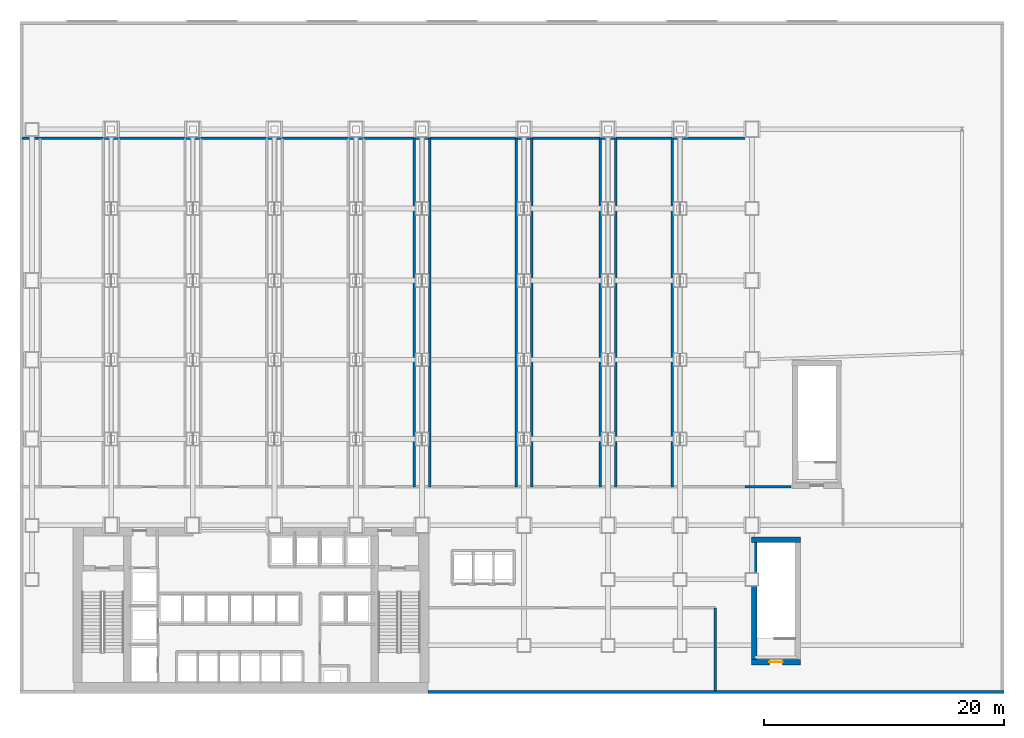
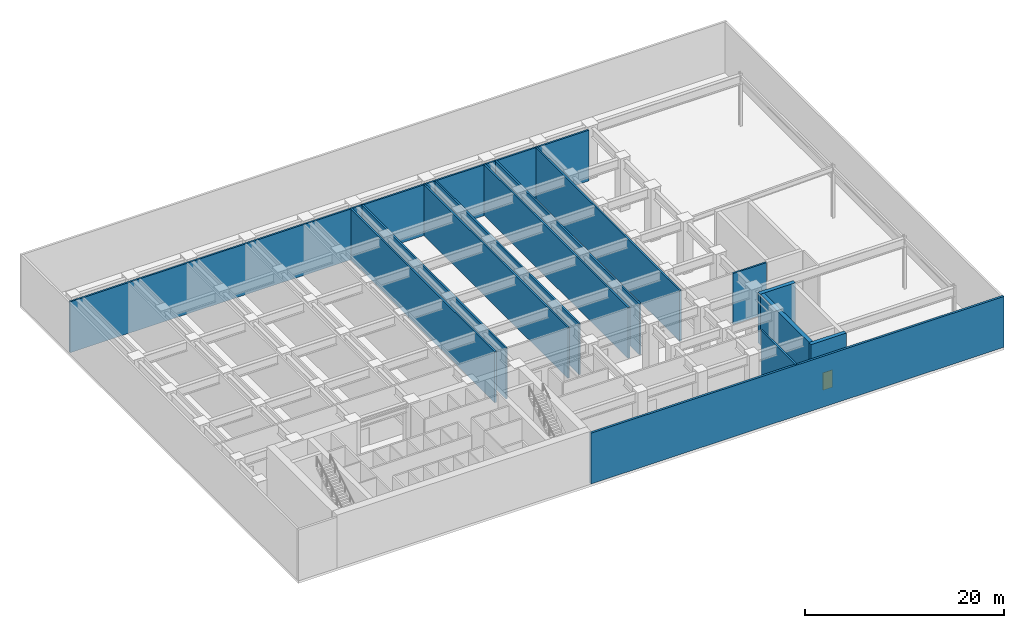
# One storey, part 11 of 15: 14 walls, 1 door, 1 opening.
"""IFC4 building model written with IfcOpenShell, lengths in metres."""

from ifc_helpers import new_model, si_unit, derived_unit, direction, frame, frame_2d, origin, place, context, subcontext, project, spatial, rectangle, extrude, source, transform, mapped, material, layer, layer_set, type_object, element, fill, save


model = new_model("IFC4")

# Units and contexts
model_context = context("Model", 3, precision=1e-05, world=origin(), true_north=direction((0.0, 1.0)))
body_context = subcontext(model_context, "Body", "Model", "MODEL_VIEW")
ifc_project = project(units=[si_unit("LENGTHUNIT", "METRE"), si_unit("AREAUNIT", "SQUARE_METRE"), si_unit("VOLUMEUNIT", "CUBIC_METRE"), si_unit("PLANEANGLEUNIT", "RADIAN"), si_unit("MASSUNIT", "GRAM", prefix="KILO"), derived_unit("THERMALTRANSMITTANCEUNIT", [(si_unit("POWERUNIT", "WATT"), 1), (si_unit("LENGTHUNIT", "METRE"), -2), (si_unit("THERMODYNAMICTEMPERATUREUNIT", "KELVIN"), -1)])], contexts=[model_context])

# Site, building, storey
site_placement = place(None, origin())
site = spatial("IfcSite", under=ifc_project, at=site_placement, CompositionType="ELEMENT")
building_placement = place(site_placement, origin())
building = spatial("IfcBuilding", under=site, at=building_placement, Name="Skarnbrae Concourse Arena and Tower", CompositionType="ELEMENT")
storey_placement = place(building_placement, frame((0.0, 0.0, 26.0)))
storey = spatial("IfcBuildingStorey", under=building, at=storey_placement, Name="L05", CompositionType="ELEMENT", Elevation=26.0)

# Wall
ifc_material_1 = material(Name="Precast concrete 40 MPa (C40/50)", Category="concrete")
ifc_layer_1 = layer(ifc_material_1, 0.25)
ifc_layer_set_1 = layer_set([ifc_layer_1], Name="Precast concrete 40 MPa (C40/50)")
wall_type_1 = type_object("IfcWallType", Name="WALL-EXT-SPANDREL-250", PredefinedType="STANDARD", material=ifc_layer_set_1)
shared_shape_1 = source(origin(), body_context, "Body", "SweptSolid", [
    extrude(rectangle(XDim=48.0, YDim=0.25, at=frame_2d((24.0, 0.0))), origin(), (0.0, 0.0, 1.0), 6.25),
])
wall_1_placement = place(storey_placement, frame((34.0, 0.125, 0.0), z_axis=(0.0, 0.0, 1.0), x_axis=(1.0, 0.0, 0.0)))
element("IfcWall", 1, at=wall_1_placement, inside=storey, type_object=wall_type_1, Name="L05 Podium exterior precast wall SE", PredefinedType="STANDARD", context=body_context, shape_type="MappedRepresentation", body=[
    mapped(shared_shape_1, transform((0.0, 0.0, 0.0))),
])

# Wall, opening, door
ifc_material_2 = material(Name="Concrete 50 MPa (C50/60)", Category="concrete")
ifc_layer_2 = layer(ifc_material_2, 0.449951171875)
ifc_layer_set_2 = layer_set([ifc_layer_2], Name="Concrete 50 MPa (C50/60)")
wall_type_2 = type_object("IfcWallType", Name="WALL-CORE-450-C50", PredefinedType="SHEAR", material=ifc_layer_set_2)
shared_shape_2 = source(origin(), body_context, "Body", "SweptSolid", [
    extrude(rectangle(XDim=4.10009765625, YDim=0.449951171875, at=frame_2d((2.050048828125, 0.0))), origin(), (0.0, 0.0, 1.0), 6.25),
])
wall_2_placement = place(storey_placement, frame((60.949951171875, 2.594970703125, 0.0), z_axis=(0.0, 0.0, 1.0), x_axis=(1.0, 0.0, 0.0)))
wall_2 = element("IfcWall", 2, at=wall_2_placement, inside=storey, type_object=wall_type_2, Name="L05 Protected stair shaft wall ST-A1-S", PredefinedType="SHEAR", context=body_context, shape_type="MappedRepresentation", body=[
    mapped(shared_shape_2, transform((0.0, 0.0, 0.0))),
])
opening_placement = place(wall_2_placement, frame((1.5, 0.0, 0.0)))
opening = element("IfcOpeningElement", 3, at=opening_placement, cuts=wall_2, Name="Opening DT-03", PredefinedType="OPENING", context=body_context, shape_type="SweptSolid", body=[
    extrude(rectangle(XDim=1.10009765625, YDim=2.14990234375, at=frame_2d((0.550048828125, 1.074951171875))), frame((0.0, 0.23486328125, 0.0), z_axis=(0.0, -1.0, 0.0), x_axis=(1.0, 0.0, 0.0)), (0.0, 0.0, 1.0), 0.469970703125),
])
ifc_material_3 = material(Name="Steel CSA G40.21 350W", Category="steel")
door_type = type_object("IfcDoorType", Name="DOOR-FIRE-1100-90M", OperationType="NOTDEFINED", PredefinedType="DOOR", material=ifc_material_3)
shared_shape_3 = source(origin(), body_context, "Body", "SweptSolid", [
    extrude(rectangle(XDim=1.10009765625, YDim=2.14990234375, at=frame_2d((0.550048828125, 1.074951171875))), frame((0.0, 0.02490234375, 0.0), z_axis=(0.0, -1.0, 0.0), x_axis=(1.0, 0.0, 0.0)), (0.0, 0.0, 1.0), 0.050048828125),
])
door_placement = place(opening_placement, origin())
door = element("IfcDoor", 4, at=door_placement, inside=storey, type_object=door_type, Name="D-0326 Exit Stair ST-A1 Door", OperationType="SINGLE_SWING_RIGHT", OverallHeight=2.14990234375, OverallWidth=1.10009765625, PredefinedType="DOOR", context=body_context, shape_type="MappedRepresentation", body=[
    mapped(shared_shape_3, transform((0.0, 0.0, 0.0))),
])
fill(opening, door)

# Walls
wall_3_placement = place(storey_placement, frame((60.949951171875, 12.804931640625, 0.0), z_axis=(0.0, 0.0, 1.0), x_axis=(1.0, 0.0, 0.0)))
element("IfcWall", 5, at=wall_3_placement, inside=storey, type_object=wall_type_2, Name="L05 Protected stair shaft wall ST-A1-N", PredefinedType="SHEAR", context=body_context, shape_type="MappedRepresentation", body=[
    mapped(shared_shape_2, transform((0.0, 0.0, 0.0))),
])
shared_shape_4 = source(origin(), body_context, "Body", "SweptSolid", [
    extrude(rectangle(XDim=9.800048828125, YDim=0.449951171875, at=frame_2d((4.89990234375, 0.0))), origin(), (0.0, 0.0, 1.0), 6.25),
])
wall_4_placement = place(storey_placement, frame((61.195068359375, 2.800048828125, 0.0), z_axis=(0.0, 0.0, 1.0), x_axis=(0.0, 1.0, 0.0)))
element("IfcWall", 6, at=wall_4_placement, inside=storey, type_object=wall_type_2, Name="L05 Protected stair shaft wall ST-A1-W", PredefinedType="SHEAR", context=body_context, shape_type="MappedRepresentation", body=[
    mapped(shared_shape_4, transform((0.0, 0.0, 0.0))),
])
ifc_material_4 = material(Name="Gypsum board on cold-formed steel studs", Category="steel")
ifc_layer_3 = layer(ifc_material_4, 0.199951171875)
ifc_layer_set_3 = layer_set([ifc_layer_3], Name="Gypsum board on cold-formed steel studs")
wall_type_3 = type_object("IfcWallType", Name="WALL-PART-200-2HR", PredefinedType="PARTITIONING", material=ifc_layer_set_3)
shared_shape_5 = source(origin(), body_context, "Body", "SweptSolid", [
    extrude(rectangle(XDim=6.920166015625, YDim=0.199951171875, at=frame_2d((3.4599609375, 0.0))), origin(), (0.0, 0.0, 1.0), 6.25),
])
wall_5_placement = place(storey_placement, frame((57.949951171875, 0.199951171875, 0.0), z_axis=(0.0, 0.0, 1.0), x_axis=(0.0, 1.0, 0.0)))
element("IfcWall", 7, at=wall_5_placement, inside=storey, type_object=wall_type_3, Name="L05 Interior partition wall W-L05-SE-E", PredefinedType="PARTITIONING", context=body_context, shape_type="MappedRepresentation", body=[
    mapped(shared_shape_5, transform((0.0, 0.0, 0.0))),
])
shared_shape_6 = source(origin(), body_context, "Body", "SweptSolid", [
    extrude(rectangle(XDim=60.25, YDim=0.199951171875, at=frame_2d((30.125, 0.0))), origin(), (0.0, 0.0, 1.0), 6.25),
])
wall_6_placement = place(storey_placement, frame((0.14990234375, 46.25, 0.0), z_axis=(0.0, 0.0, 1.0), x_axis=(1.0, 0.0, 0.0)))
element("IfcWall", 8, at=wall_6_placement, inside=storey, type_object=wall_type_3, Name="L05 Interior partition wall W-L05-CN", PredefinedType="PARTITIONING", context=body_context, shape_type="MappedRepresentation", body=[
    mapped(shared_shape_6, transform((0.0, 0.0, 0.0))),
])
shared_shape_7 = source(origin(), body_context, "Body", "SweptSolid", [
    extrude(rectangle(XDim=3.85009765625, YDim=0.199951171875, at=frame_2d((1.925048828125, 0.0))), origin(), (0.0, 0.0, 1.0), 6.25),
])
wall_7_placement = place(storey_placement, frame((60.39990234375, 17.199951171875, 0.0), z_axis=(0.0, 0.0, 1.0), x_axis=(1.0, 0.0, 0.0)))
element("IfcWall", 9, at=wall_7_placement, inside=storey, type_object=wall_type_3, Name="L05 Interior partition wall W-L05-CS-E", PredefinedType="PARTITIONING", context=body_context, shape_type="MappedRepresentation", body=[
    mapped(shared_shape_7, transform((0.0, 0.0, 0.0))),
])
shared_shape_8 = source(origin(), body_context, "Body", "SweptSolid", [
    extrude(rectangle(XDim=29.050048828125, YDim=0.199951171875, at=frame_2d((14.52490234375, 0.0))), origin(), (0.0, 0.0, 1.0), 6.25),
])
for number, where, z_axis, x_axis, name in (
    (10, (32.85009765625, 17.199951171875, 0.0), (0.0, 0.0, 1.0), (0.0, 1.0, 0.0), "L05 Interior partition wall W-L05-TW-328"),
    (11, (34.14990234375, 17.199951171875, 0.0), (0.0, 0.0, 1.0), (0.0, 1.0, 0.0), "L05 Interior partition wall W-L05-TW-342"),
    (12, (41.35009765625, 17.199951171875, 0.0), (0.0, 0.0, 1.0), (0.0, 1.0, 0.0), "L05 Interior partition wall W-L05-TW-414"),
    (13, (42.64990234375, 17.199951171875, 0.0), (0.0, 0.0, 1.0), (0.0, 1.0, 0.0), "L05 Interior partition wall W-L05-TW-426"),
    (14, (48.35009765625, 17.199951171875, 0.0), (0.0, 0.0, 1.0), (0.0, 1.0, 0.0), "L05 Interior partition wall W-L05-TW-484"),
    (15, (49.64990234375, 17.199951171875, 0.0), (0.0, 0.0, 1.0), (0.0, 1.0, 0.0), "L05 Interior partition wall W-L05-TW-496"),
    (16, (54.35009765625, 17.199951171875, 0.0), (0.0, 0.0, 1.0), (0.0, 1.0, 0.0), "L05 Interior partition wall W-L05-TW-544"),
):
    element("IfcWall", number, at=place(storey_placement, frame(where, z_axis=z_axis, x_axis=x_axis)), inside=storey, type_object=wall_type_3, Name=name, PredefinedType="PARTITIONING", context=body_context, shape_type="MappedRepresentation", body=[
        mapped(shared_shape_8, transform((0.0, 0.0, 0.0))),
    ])

save(model, "model.ifc")
